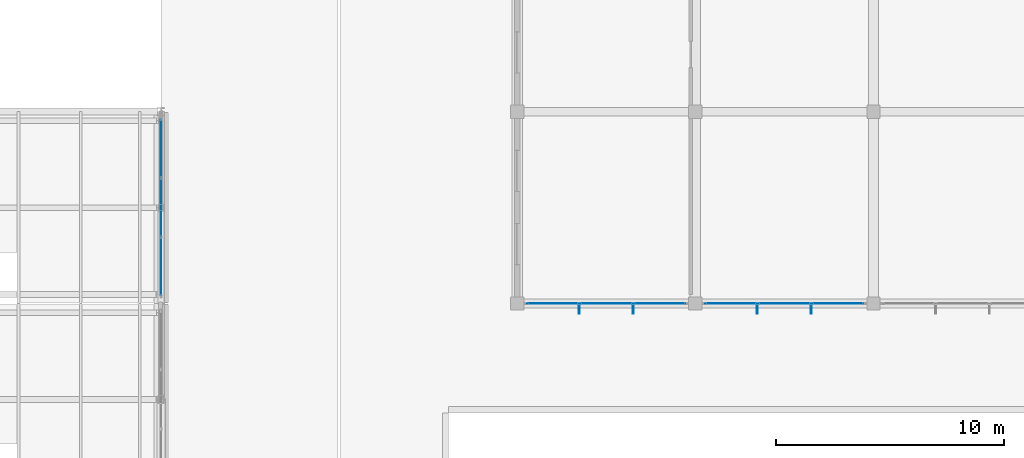
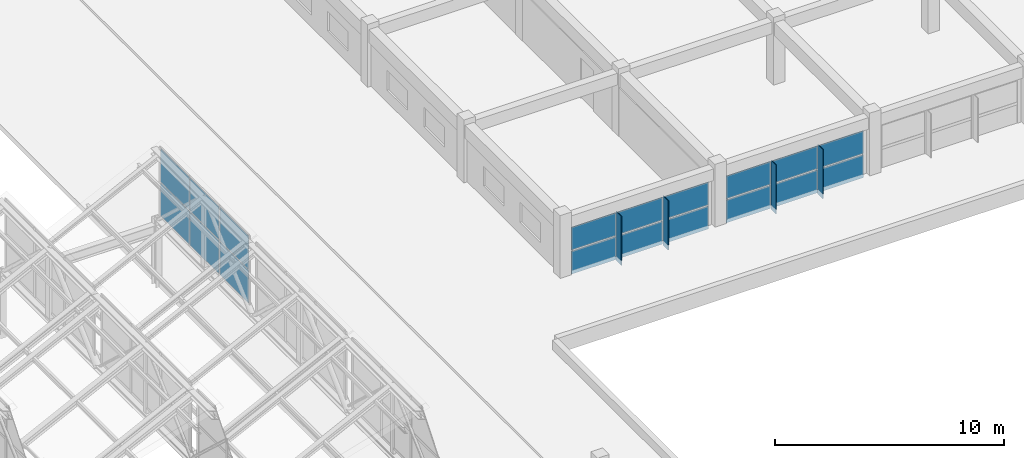
# One storey, part 79 of 101: 22 plates, 3 elements without a shape of their own.
"""IFC4 building model written with IfcOpenShell, lengths in metres."""

from ifc_helpers import new_model, si_unit, direction, frame, origin, origin_2d, place, context, subcontext, project, spatial, polyline, rectangle, outline, extrude, material, layer, layer_set, type_object, element, aggregate, save


model = new_model("IFC4")

# Units and contexts
model_context = context("Model", 3, precision=1e-05, world=origin(), true_north=direction((0.0, 1.0)))
body_context = subcontext(model_context, "Body", "Model", "MODEL_VIEW")
ifc_project = project(units=[si_unit("LENGTHUNIT", "METRE"), si_unit("AREAUNIT", "SQUARE_METRE"), si_unit("VOLUMEUNIT", "CUBIC_METRE"), si_unit("PLANEANGLEUNIT", "RADIAN"), si_unit("MASSUNIT", "GRAM", prefix="KILO")], contexts=[model_context])

# Site, building, storey
site_placement = place(None, origin())
site = spatial("IfcSite", under=ifc_project, at=site_placement, CompositionType="ELEMENT")
building_placement = place(site_placement, origin())
building = spatial("IfcBuilding", under=site, at=building_placement, Name="Zizhar Promenade General Hospital", CompositionType="ELEMENT")
storey_placement = place(building_placement, frame((0.0, 0.0, 14.39990234375)))
storey = spatial("IfcBuildingStorey", under=building, at=storey_placement, Name="L03", CompositionType="ELEMENT", Elevation=14.39990234375)

# Curtain wall, plates
ifc_material_1 = material(Name="Anodised aluminium 6063-T6 and low-E glass", Category="aluminium")
ifc_layer_1 = layer(ifc_material_1, 0.159912109375)
ifc_layer_set_1 = layer_set([ifc_layer_1], Name="Anodised aluminium 6063-T6 and low-E glass")
curtain_wall_type_1 = type_object("IfcCurtainWallType", Name="CW-SAW-NL3", PredefinedType="NOTDEFINED", material=ifc_layer_set_1)
curtain_wall_1_placement = place(storey_placement, origin())
curtain_wall_1 = element("IfcCurtainWall", 1, at=curtain_wall_1_placement, inside=storey, type_object=curtain_wall_type_1, Name="Sawtooth Clerestory Light B7-S3", PredefinedType="NOTDEFINED")
ifc_material_2 = material(Name="Low-E solar-control glass", Category="glass")
ifc_layer_2 = layer(ifc_material_2, 0.028076171875)
ifc_layer_set_2 = layer_set([ifc_layer_2], Name="Low-E solar-control glass")
plate_type_1 = type_object("IfcPlateType", Name="CWP-GLZ-28", PredefinedType="CURTAIN_PANEL", material=ifc_layer_set_2)
plate_1_placement = place(storey_placement, frame((124.800048828125, 43.614990234375, 3.91015625), z_axis=(0.0, 0.0, 1.0), x_axis=(0.0, 1.0, 0.0)))
plate_1 = element("IfcPlate", 2, at=plate_1_placement, type_object=plate_type_1, Name="CW-05 panel 1.1", PredefinedType="CURTAIN_PANEL", context=body_context, shape_type="SweptSolid", body=[
    extrude(rectangle(XDim=2.510009765625, YDim=0.028076171875, at=origin_2d()), origin(), (0.0, 0.0, 1.0), 1.760009765625),
])
plate_2_placement = place(storey_placement, frame((124.800048828125, 43.614990234375, 5.72998046875), z_axis=(0.0, 0.0, 1.0), x_axis=(0.0, 1.0, 0.0)))
plate_2 = element("IfcPlate", 3, at=plate_2_placement, type_object=plate_type_1, Name="CW-05 panel 1.2", PredefinedType="CURTAIN_PANEL", context=body_context, shape_type="SweptSolid", body=[
    extrude(rectangle(XDim=2.510009765625, YDim=0.028076171875, at=origin_2d()), origin(), (0.0, 0.0, 1.0), 1.760009765625),
])
plate_3_placement = place(storey_placement, frame((124.800048828125, 46.199951171875, 3.91015625), z_axis=(0.0, 0.0, 1.0), x_axis=(0.0, 1.0, 0.0)))
plate_3 = element("IfcPlate", 4, at=plate_3_placement, type_object=plate_type_1, Name="CW-05 panel 2.1", PredefinedType="CURTAIN_PANEL", context=body_context, shape_type="SweptSolid", body=[
    extrude(rectangle(XDim=2.5400390625, YDim=0.028076171875, at=origin_2d()), origin(), (0.0, 0.0, 1.0), 1.760009765625),
])
plate_4_placement = place(storey_placement, frame((124.800048828125, 46.199951171875, 5.72998046875), z_axis=(0.0, 0.0, 1.0), x_axis=(0.0, 1.0, 0.0)))
plate_4 = element("IfcPlate", 5, at=plate_4_placement, type_object=plate_type_1, Name="CW-05 panel 2.2", PredefinedType="CURTAIN_PANEL", context=body_context, shape_type="SweptSolid", body=[
    extrude(rectangle(XDim=2.5400390625, YDim=0.028076171875, at=origin_2d()), origin(), (0.0, 0.0, 1.0), 1.760009765625),
])
plate_5_placement = place(storey_placement, frame((124.800048828125, 48.784912109375, 3.91015625), z_axis=(0.0, 0.0, 1.0), x_axis=(0.0, 1.0, 0.0)))
plate_5 = element("IfcPlate", 6, at=plate_5_placement, type_object=plate_type_1, Name="CW-05 panel 3.1", PredefinedType="CURTAIN_PANEL", context=body_context, shape_type="SweptSolid", body=[
    extrude(rectangle(XDim=2.510009765625, YDim=0.028076171875, at=origin_2d()), origin(), (0.0, 0.0, 1.0), 1.760009765625),
])
plate_6_placement = place(storey_placement, frame((124.800048828125, 48.784912109375, 5.72998046875), z_axis=(0.0, 0.0, 1.0), x_axis=(0.0, 1.0, 0.0)))
plate_6 = element("IfcPlate", 7, at=plate_6_placement, type_object=plate_type_1, Name="CW-05 panel 3.2", PredefinedType="CURTAIN_PANEL", context=body_context, shape_type="SweptSolid", body=[
    extrude(rectangle(XDim=2.510009765625, YDim=0.028076171875, at=origin_2d()), origin(), (0.0, 0.0, 1.0), 1.760009765625),
])
aggregate(curtain_wall_1, [plate_1, plate_2, plate_3, plate_4, plate_5, plate_6])

ifc_material_3 = material(Name="Anodised aluminium 6063-T6 and low-E glass", Category="aluminium")
ifc_layer_3 = layer(ifc_material_3, 0.159912109375)
ifc_layer_set_3 = layer_set([ifc_layer_3], Name="Anodised aluminium 6063-T6 and low-E glass")
curtain_wall_type_2 = type_object("IfcCurtainWallType", Name="CW-CLN-L03", PredefinedType="NOTDEFINED", material=ifc_layer_set_3)
curtain_wall_2_placement = place(storey_placement, origin())
curtain_wall_2 = element("IfcCurtainWall", 8, at=curtain_wall_2_placement, inside=storey, type_object=curtain_wall_type_2, Name="L03 Clinic Pavilion South Glazing 18", PredefinedType="NOTDEFINED")
ifc_material_4 = material(Name="Low-E solar-control glass", Category="glass")
ifc_layer_4 = layer(ifc_material_4, 0.031982421875)
ifc_layer_set_4 = layer_set([ifc_layer_4], Name="Low-E solar-control glass")
plate_type_2 = type_object("IfcPlateType", Name="CWP-GLZ-32", PredefinedType="CURTAIN_PANEL", material=ifc_layer_set_4)
plate_7_placement = place(storey_placement, frame((146.639892578125, 42.0, 0.06005859375), z_axis=(0.0, 0.0, 1.0), x_axis=(-1.0, 0.0, 0.0)))
plate_7 = element("IfcPlate", 9, at=plate_7_placement, type_object=plate_type_2, Name="CW-11 panel 1.1", PredefinedType="CURTAIN_PANEL", context=body_context, shape_type="SweptSolid", body=[
    extrude(rectangle(XDim=2.239990234375, YDim=0.031982421875, at=origin_2d()), origin(), (0.0, 0.0, 1.0), 1.219970703125),
])
plate_8_placement = place(storey_placement, frame((146.639892578125, 42.0, 1.34033203125), z_axis=(0.0, 0.0, 1.0), x_axis=(-1.0, 0.0, 0.0)))
plate_8 = element("IfcPlate", 10, at=plate_8_placement, type_object=plate_type_2, Name="CW-11 panel 1.2", PredefinedType="CURTAIN_PANEL", context=body_context, shape_type="SweptSolid", body=[
    extrude(rectangle(XDim=2.239990234375, YDim=0.031982421875, at=origin_2d()), origin(), (0.0, 0.0, 1.0), 1.219970703125),
])
plate_9_placement = place(storey_placement, frame((144.300048828125, 42.0, 0.06005859375), z_axis=(0.0, 0.0, 1.0), x_axis=(-1.0, 0.0, 0.0)))
plate_9 = element("IfcPlate", 11, at=plate_9_placement, type_object=plate_type_2, Name="CW-11 panel 2.1", PredefinedType="CURTAIN_PANEL", context=body_context, shape_type="SweptSolid", body=[
    extrude(rectangle(XDim=2.280029296875, YDim=0.031982421875, at=origin_2d()), origin(), (0.0, 0.0, 1.0), 1.219970703125),
])
plate_10_placement = place(storey_placement, frame((144.300048828125, 42.0, 1.34033203125), z_axis=(0.0, 0.0, 1.0), x_axis=(-1.0, 0.0, 0.0)))
plate_10 = element("IfcPlate", 12, at=plate_10_placement, type_object=plate_type_2, Name="CW-11 panel 2.2", PredefinedType="CURTAIN_PANEL", context=body_context, shape_type="SweptSolid", body=[
    extrude(rectangle(XDim=2.280029296875, YDim=0.031982421875, at=origin_2d()), origin(), (0.0, 0.0, 1.0), 1.219970703125),
])
plate_11_placement = place(storey_placement, frame((141.9599609375, 42.0, 0.06005859375), z_axis=(0.0, 0.0, 1.0), x_axis=(-1.0, 0.0, 0.0)))
plate_11 = element("IfcPlate", 13, at=plate_11_placement, type_object=plate_type_2, Name="CW-11 panel 3.1", PredefinedType="CURTAIN_PANEL", context=body_context, shape_type="SweptSolid", body=[
    extrude(rectangle(XDim=2.239990234375, YDim=0.031982421875, at=origin_2d()), origin(), (0.0, 0.0, 1.0), 1.219970703125),
])
plate_12_placement = place(storey_placement, frame((141.9599609375, 42.0, 1.34033203125), z_axis=(0.0, 0.0, 1.0), x_axis=(-1.0, 0.0, 0.0)))
plate_12 = element("IfcPlate", 14, at=plate_12_placement, type_object=plate_type_2, Name="CW-11 panel 3.2", PredefinedType="CURTAIN_PANEL", context=body_context, shape_type="SweptSolid", body=[
    extrude(rectangle(XDim=2.239990234375, YDim=0.031982421875, at=origin_2d()), origin(), (0.0, 0.0, 1.0), 1.219970703125),
])
aggregate(curtain_wall_2, [plate_7, plate_8, plate_9, plate_10, plate_11, plate_12])

curtain_wall_3_placement = place(storey_placement, origin())
curtain_wall_3 = element("IfcCurtainWall", 15, at=curtain_wall_3_placement, inside=storey, type_object=curtain_wall_type_2, Name="L03 Clinic Pavilion South Glazing 19", PredefinedType="NOTDEFINED")
plate_13_placement = place(storey_placement, frame((154.43994140625, 42.0, 0.06005859375), z_axis=(0.0, 0.0, 1.0), x_axis=(-1.0, 0.0, 0.0)))
plate_13 = element("IfcPlate", 16, at=plate_13_placement, type_object=plate_type_2, Name="CW-11 panel 1.1", PredefinedType="CURTAIN_PANEL", context=body_context, shape_type="SweptSolid", body=[
    extrude(rectangle(XDim=2.239990234375, YDim=0.031982421875, at=origin_2d()), origin(), (0.0, 0.0, 1.0), 1.219970703125),
])
plate_14_placement = place(storey_placement, frame((154.43994140625, 42.0, 1.34033203125), z_axis=(0.0, 0.0, 1.0), x_axis=(-1.0, 0.0, 0.0)))
plate_14 = element("IfcPlate", 17, at=plate_14_placement, type_object=plate_type_2, Name="CW-11 panel 1.2", PredefinedType="CURTAIN_PANEL", context=body_context, shape_type="SweptSolid", body=[
    extrude(rectangle(XDim=2.239990234375, YDim=0.031982421875, at=origin_2d()), origin(), (0.0, 0.0, 1.0), 1.219970703125),
])
plate_15_placement = place(storey_placement, frame((152.10009765625, 42.0, 0.06005859375), z_axis=(0.0, 0.0, 1.0), x_axis=(-1.0, 0.0, 0.0)))
plate_15 = element("IfcPlate", 18, at=plate_15_placement, type_object=plate_type_2, Name="CW-11 panel 2.1", PredefinedType="CURTAIN_PANEL", context=body_context, shape_type="SweptSolid", body=[
    extrude(rectangle(XDim=2.280029296875, YDim=0.031982421875, at=origin_2d()), origin(), (0.0, 0.0, 1.0), 1.219970703125),
])
plate_16_placement = place(storey_placement, frame((152.10009765625, 42.0, 1.34033203125), z_axis=(0.0, 0.0, 1.0), x_axis=(-1.0, 0.0, 0.0)))
plate_16 = element("IfcPlate", 19, at=plate_16_placement, type_object=plate_type_2, Name="CW-11 panel 2.2", PredefinedType="CURTAIN_PANEL", context=body_context, shape_type="SweptSolid", body=[
    extrude(rectangle(XDim=2.280029296875, YDim=0.031982421875, at=origin_2d()), origin(), (0.0, 0.0, 1.0), 1.219970703125),
])
plate_17_placement = place(storey_placement, frame((149.760009765625, 42.0, 0.06005859375), z_axis=(0.0, 0.0, 1.0), x_axis=(-1.0, 0.0, 0.0)))
plate_17 = element("IfcPlate", 20, at=plate_17_placement, type_object=plate_type_2, Name="CW-11 panel 3.1", PredefinedType="CURTAIN_PANEL", context=body_context, shape_type="SweptSolid", body=[
    extrude(rectangle(XDim=2.239990234375, YDim=0.031982421875, at=origin_2d()), origin(), (0.0, 0.0, 1.0), 1.219970703125),
])
plate_18_placement = place(storey_placement, frame((149.760009765625, 42.0, 1.34033203125), z_axis=(0.0, 0.0, 1.0), x_axis=(-1.0, 0.0, 0.0)))
plate_18 = element("IfcPlate", 21, at=plate_18_placement, type_object=plate_type_2, Name="CW-11 panel 3.2", PredefinedType="CURTAIN_PANEL", context=body_context, shape_type="SweptSolid", body=[
    extrude(rectangle(XDim=2.239990234375, YDim=0.031982421875, at=origin_2d()), origin(), (0.0, 0.0, 1.0), 1.219970703125),
])
aggregate(curtain_wall_3, [plate_13, plate_14, plate_15, plate_16, plate_17, plate_18])

# Plates
ifc_material_5 = material(Name="Anodised aluminium 6063-T6", Category="aluminium")
ifc_layer_5 = layer(ifc_material_5, 0.0400390625)
ifc_layer_set_5 = layer_set([ifc_layer_5], Name="Anodised aluminium 6063-T6")
plate_type_3 = type_object("IfcPlateType", Name="FIN-ALU-450", PredefinedType="USERDEFINED", material=ifc_layer_set_5)
plate_19_placement = place(storey_placement, origin())
element("IfcPlate", 22, at=plate_19_placement, inside=storey, type_object=plate_type_3, Name="L03 Clinic Pavilion South Glazing 18 Solar Fin 1", ObjectType="SOLAR_SHADE", PredefinedType="USERDEFINED", context=body_context, shape_type="SweptSolid", body=[
    extrude(outline(polyline([(145.5, 42.0), (145.4599609375, 42.0), (145.4599609375, 41.550048828125), (145.5, 41.550048828125), (145.5, 42.0)])), origin(), (0.0, 0.0, 1.0), 2.6201171875),
])
plate_20_placement = place(storey_placement, origin())
element("IfcPlate", 23, at=plate_20_placement, inside=storey, type_object=plate_type_3, Name="L03 Clinic Pavilion South Glazing 18 Solar Fin 2", ObjectType="SOLAR_SHADE", PredefinedType="USERDEFINED", context=body_context, shape_type="SweptSolid", body=[
    extrude(outline(polyline([(143.139892578125, 42.0), (143.10009765625, 42.0), (143.10009765625, 41.550048828125), (143.139892578125, 41.550048828125), (143.139892578125, 42.0)])), origin(), (0.0, 0.0, 1.0), 2.6201171875),
])
plate_21_placement = place(storey_placement, origin())
element("IfcPlate", 24, at=plate_21_placement, inside=storey, type_object=plate_type_3, Name="L03 Clinic Pavilion South Glazing 19 Solar Fin 1", ObjectType="SOLAR_SHADE", PredefinedType="USERDEFINED", context=body_context, shape_type="SweptSolid", body=[
    extrude(outline(polyline([(153.300048828125, 42.0), (153.260009765625, 42.0), (153.260009765625, 41.550048828125), (153.300048828125, 41.550048828125), (153.300048828125, 42.0)])), origin(), (0.0, 0.0, 1.0), 2.6201171875),
])
plate_22_placement = place(storey_placement, origin())
element("IfcPlate", 25, at=plate_22_placement, inside=storey, type_object=plate_type_3, Name="L03 Clinic Pavilion South Glazing 19 Solar Fin 2", ObjectType="SOLAR_SHADE", PredefinedType="USERDEFINED", context=body_context, shape_type="SweptSolid", body=[
    extrude(outline(polyline([(150.93994140625, 42.0), (150.89990234375, 42.0), (150.89990234375, 41.550048828125), (150.93994140625, 41.550048828125), (150.93994140625, 42.0)])), origin(), (0.0, 0.0, 1.0), 2.6201171875),
])

save(model, "model.ifc")
